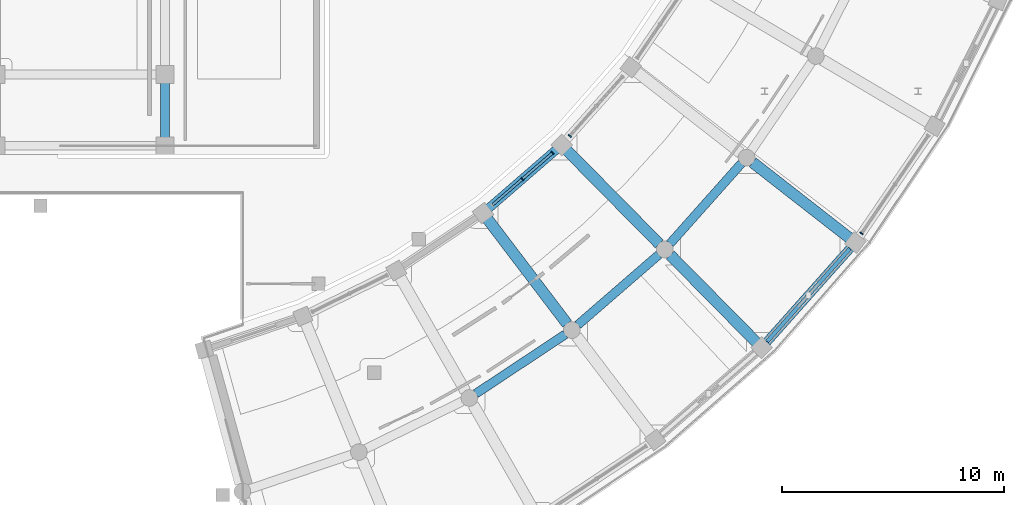
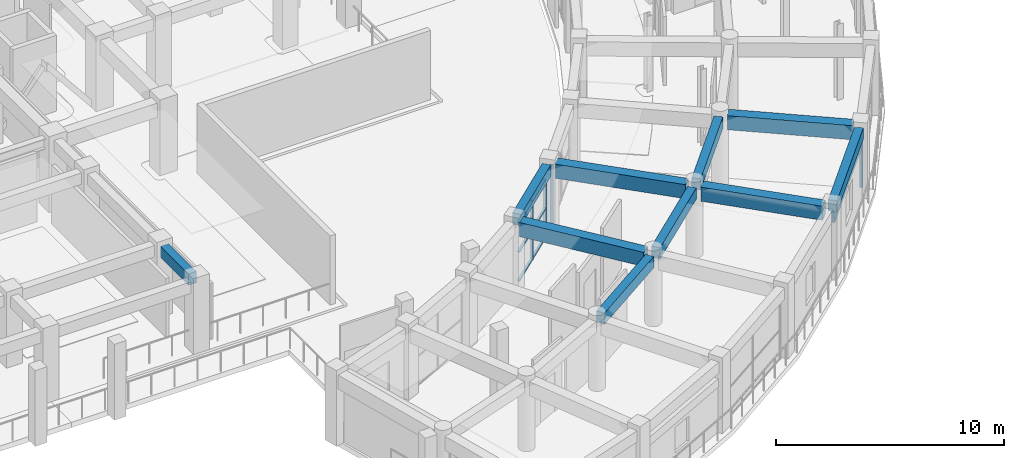
# One storey, part 23 of 87: 11 members, 10 beams, 3 elements without a shape of their own.
"""IFC4 building model written with IfcOpenShell, lengths in metres."""

from ifc_helpers import new_model, si_unit, direction, frame, origin, origin_2d, place, context, subcontext, project, spatial, rectangle, extrude, material, material_profile, profile_set, type_object, element, aggregate, save


model = new_model("IFC4")

# Units and contexts
model_context = context("Model", 3, precision=1e-05, world=origin(), true_north=direction((0.0, 1.0)))
body_context = subcontext(model_context, "Body", "Model", "MODEL_VIEW")
ifc_project = project(units=[si_unit("LENGTHUNIT", "METRE"), si_unit("AREAUNIT", "SQUARE_METRE"), si_unit("VOLUMEUNIT", "CUBIC_METRE"), si_unit("PLANEANGLEUNIT", "RADIAN"), si_unit("MASSUNIT", "GRAM", prefix="KILO")], contexts=[model_context])

# Site, building, storey
site_placement = place(None, origin())
site = spatial("IfcSite", under=ifc_project, at=site_placement, CompositionType="ELEMENT")
building_placement = place(site_placement, origin())
building = spatial("IfcBuilding", under=site, at=building_placement, Name="Saryqyr Civic Hall", CompositionType="ELEMENT")
storey_placement = place(building_placement, frame((0.0, 0.0, 5.10009765625)))
storey = spatial("IfcBuildingStorey", under=building, at=storey_placement, Name="L01", CompositionType="ELEMENT", Elevation=5.10009765625)

# Curtain wall, members
ifc_material_1 = material(Name="Anodised aluminium and triple low-E glass", Category="aluminium")
curtain_wall_type_1 = type_object("IfcCurtainWallType", Name="ENV-CW-STD-37", PredefinedType="NOTDEFINED", material=ifc_material_1)
curtain_wall_1_placement = place(storey_placement, origin())
curtain_wall_1 = element("IfcCurtainWall", 1, at=curtain_wall_1_placement, inside=storey, type_object=curtain_wall_type_1, Name="Curtain wall V5-CWI-L01-03", PredefinedType="NOTDEFINED")
ifc_material_2 = material(Name="Anodised aluminium", Category="aluminium")
ifc_material_profile_1 = material_profile(ifc_material_2, rectangle(XDim=0.06005859375, YDim=0.159912109375, at=origin_2d()), Name="ALU MULLION 60x160")
ifc_profile_set_1 = profile_set([ifc_material_profile_1], Name="Anodised aluminium")
member_type_1 = type_object("IfcMemberType", Name="ENV-CW-MUL-180", PredefinedType="MULLION", material=ifc_profile_set_1)
member_1_placement = place(storey_placement, frame((80.660400390625, 56.702392578125, 0.0), z_axis=(0.0, 0.0, 1.0), x_axis=(0.755641079995, 0.654985922157, 0.0)))
member_1 = element("IfcMember", 2, at=member_1_placement, type_object=member_type_1, Name="CW-37 mullion 2", PredefinedType="MULLION", context=body_context, shape_type="SweptSolid", body=[
    extrude(rectangle(XDim=0.06005859375, YDim=0.159912109375, at=origin_2d()), origin(), (0.0, 0.0, 1.0), 3.14501953125),
])
member_2_placement = place(storey_placement, frame((82.01416015625, 57.875732421875, 0.0), z_axis=(0.0, 0.0, 1.0), x_axis=(0.755641079995, 0.654985922157, 0.0)))
member_2 = element("IfcMember", 3, at=member_2_placement, type_object=member_type_1, Name="CW-37 mullion 3", PredefinedType="MULLION", context=body_context, shape_type="SweptSolid", body=[
    extrude(rectangle(XDim=0.06005859375, YDim=0.159912109375, at=origin_2d()), origin(), (0.0, 0.0, 1.0), 3.14501953125),
])

# Curtain wall, member
curtain_wall_2_placement = place(storey_placement, origin())
curtain_wall_2 = element("IfcCurtainWall", 4, at=curtain_wall_2_placement, inside=storey, type_object=curtain_wall_type_1, Name="Curtain wall V5-CWI-L01-04", PredefinedType="NOTDEFINED")
member_3_placement = place(storey_placement, frame((82.7939453125, 58.64599609375, 0.0), z_axis=(0.0, 0.0, 1.0), x_axis=(0.664938004684, 0.746898553973, 0.0)))
member_3 = element("IfcMember", 5, at=member_3_placement, type_object=member_type_1, Name="CW-37 mullion 1", PredefinedType="MULLION", context=body_context, shape_type="SweptSolid", body=[
    extrude(rectangle(XDim=0.06005859375, YDim=0.159912109375, at=origin_2d()), origin(), (0.0, 0.0, 1.0), 3.14501953125),
])
aggregate(curtain_wall_2, [member_3])

curtain_wall_type_2 = type_object("IfcCurtainWallType", Name="ENV-CW-STD-36", PredefinedType="NOTDEFINED", material=ifc_material_1)
curtain_wall_3_placement = place(storey_placement, origin())
curtain_wall_3 = element("IfcCurtainWall", 6, at=curtain_wall_3_placement, inside=storey, type_object=curtain_wall_type_2, Name="Curtain wall V5-CWO-L01-05", PredefinedType="NOTDEFINED")
member_4_placement = place(storey_placement, frame((95.908447265625, 54.26416015625, 0.0), z_axis=(0.0, 0.0, 1.0), x_axis=(-0.563110329158, -0.826381726078, 0.0)))
member_4 = element("IfcMember", 7, at=member_4_placement, type_object=member_type_1, Name="CW-36 mullion 3", PredefinedType="MULLION", context=body_context, shape_type="SweptSolid", body=[
    extrude(rectangle(XDim=0.06005859375, YDim=0.159912109375, at=origin_2d()), origin(), (0.0, 0.0, 1.0), 3.14501953125),
])
aggregate(curtain_wall_3, [member_4])

# Member
ifc_material_profile_2 = material_profile(ifc_material_2, rectangle(XDim=0.1201171875, YDim=0.06005859375, at=origin_2d()), Name="ALU TRANSOM 120x60")
ifc_profile_set_2 = profile_set([ifc_material_profile_2], Name="Anodised aluminium")
member_type_2 = type_object("IfcMemberType", Name="ENV-CW-TRN-150", PredefinedType="USERDEFINED", material=ifc_profile_set_2)
member_5_placement = place(storey_placement, frame((79.329345703125, 55.548583984375, 0.02978515625), z_axis=(0.755582075396, 0.655053988111, 0.0), x_axis=(-0.655053988111, 0.755582075396, 0.0)))
member_5 = element("IfcMember", 8, at=member_5_placement, type_object=member_type_2, Name="CW-37 transom 1.1", ObjectType="TRANSOM", PredefinedType="USERDEFINED", context=body_context, shape_type="SweptSolid", body=[
    extrude(rectangle(XDim=0.1201171875, YDim=0.06005859375, at=origin_2d()), origin(), (0.0, 0.0, 1.0), 1.731689453125),
])

member_6_placement = place(storey_placement, frame((79.329345703125, 55.548583984375, 1.572021484375), z_axis=(0.755582075396, 0.655053988111, 0.0), x_axis=(-0.655053988111, 0.755582075396, 0.0)))
member_6 = element("IfcMember", 9, at=member_6_placement, type_object=member_type_2, Name="CW-37 transom 1.2", ObjectType="TRANSOM", PredefinedType="USERDEFINED", context=body_context, shape_type="SweptSolid", body=[
    extrude(rectangle(XDim=0.1201171875, YDim=0.06005859375, at=origin_2d()), origin(), (0.0, 0.0, 1.0), 1.731689453125),
])

member_7_placement = place(storey_placement, frame((79.329345703125, 55.548583984375, 3.114990234375), z_axis=(0.755582075396, 0.655053988111, 0.0), x_axis=(-0.655053988111, 0.755582075396, 0.0)))
member_7 = element("IfcMember", 10, at=member_7_placement, type_object=member_type_2, Name="CW-37 transom 1.3", ObjectType="TRANSOM", PredefinedType="USERDEFINED", context=body_context, shape_type="SweptSolid", body=[
    extrude(rectangle(XDim=0.1201171875, YDim=0.06005859375, at=origin_2d()), origin(), (0.0, 0.0, 1.0), 1.731689453125),
])

member_8_placement = place(storey_placement, frame((80.68310546875, 56.72216796875, 0.02978515625), z_axis=(0.755651861677, 0.65497348339, 0.0), x_axis=(-0.65497348339, 0.755651861677, 0.0)))
member_8 = element("IfcMember", 11, at=member_8_placement, type_object=member_type_2, Name="CW-37 transom 2.1", ObjectType="TRANSOM", PredefinedType="USERDEFINED", context=body_context, shape_type="SweptSolid", body=[
    extrude(rectangle(XDim=0.1201171875, YDim=0.06005859375, at=origin_2d()), origin(), (0.0, 0.0, 1.0), 1.7314453125),
])

member_9_placement = place(storey_placement, frame((80.68310546875, 56.72216796875, 1.572021484375), z_axis=(0.755651861677, 0.65497348339, 0.0), x_axis=(-0.65497348339, 0.755651861677, 0.0)))
member_9 = element("IfcMember", 12, at=member_9_placement, type_object=member_type_2, Name="CW-37 transom 2.2", ObjectType="TRANSOM", PredefinedType="USERDEFINED", context=body_context, shape_type="SweptSolid", body=[
    extrude(rectangle(XDim=0.1201171875, YDim=0.06005859375, at=origin_2d()), origin(), (0.0, 0.0, 1.0), 1.7314453125),
])

member_10_placement = place(storey_placement, frame((80.68310546875, 56.72216796875, 3.114990234375), z_axis=(0.755651861677, 0.65497348339, 0.0), x_axis=(-0.65497348339, 0.755651861677, 0.0)))
member_10 = element("IfcMember", 13, at=member_10_placement, type_object=member_type_2, Name="CW-37 transom 2.3", ObjectType="TRANSOM", PredefinedType="USERDEFINED", context=body_context, shape_type="SweptSolid", body=[
    extrude(rectangle(XDim=0.1201171875, YDim=0.06005859375, at=origin_2d()), origin(), (0.0, 0.0, 1.0), 1.7314453125),
])

aggregate(curtain_wall_1, [member_1, member_2, member_5, member_6, member_7, member_8, member_9, member_10])

ifc_material_3 = material(Name="Precast concrete C40/50", Category="concrete")
ifc_material_profile_3 = material_profile(ifc_material_3, rectangle(XDim=0.179931640625, YDim=0.550048828125, at=origin_2d()), Name="PC FIN 180x550")
ifc_profile_set_3 = profile_set([ifc_material_profile_3], Name="Precast concrete C40/50")
member_type_3 = type_object("IfcMemberType", Name="ENV-FIN-PC550", PredefinedType="USERDEFINED", material=ifc_profile_set_3)
member_11_placement = place(storey_placement, frame((91.662353515625, 49.397705078125, 2.81982421875), z_axis=(0.664970590881, 0.746869542332, 0.0), x_axis=(-0.746869542332, 0.664970590881, 0.0)))
element("IfcMember", 14, at=member_11_placement, inside=storey, type_object=member_type_3, Name="Precast horizontal solar brise-soleil fin V5-L01-04", ObjectType="SOLAR_FIN", PredefinedType="USERDEFINED", context=body_context, shape_type="SweptSolid", body=[
    extrude(rectangle(XDim=0.179931640625, YDim=0.550048828125, at=origin_2d()), origin(), (0.0, 0.0, 1.0), 5.59228515625),
])

# Beams
ifc_material_4 = material(Name="Concrete C35/45", Category="concrete")
ifc_material_profile_4 = material_profile(ifc_material_4, rectangle(XDim=0.39990234375, YDim=0.60009765625, at=origin_2d()), Name="RC 400x600")
ifc_profile_set_4 = profile_set([ifc_material_profile_4], Name="Concrete C35/45")
beam_type_1 = type_object("IfcBeamType", Name="STR-BM-RC400x600", PredefinedType="BEAM", material=ifc_profile_set_4)
beam_1_placement = place(storey_placement, frame((64.60009765625, 58.574951171875, 3.469970703125), z_axis=(0.0, 1.0, 0.0), x_axis=(-1.0, 0.0, 0.0)))
element("IfcBeam", 15, at=beam_1_placement, inside=storey, type_object=beam_type_1, Name="Beam V1-TBM-09-L01", PredefinedType="BEAM", context=body_context, shape_type="SweptSolid", body=[
    extrude(rectangle(XDim=0.39990234375, YDim=0.60009765625, at=origin_2d()), origin(), (0.0, 0.0, 1.0), 2.449951171875),
])
for number, where, z_axis, x_axis, name in (
    (16, (78.56884765625, 47.056640625, 3.469970703125), (0.833757954483, 0.552130123555, 0.0), (-0.552130123555, 0.833757954483, 0.0), "Beam V5-CBM-MID02-L01"),
    (17, (83.150390625, 50.14453125, 3.469970703125), (0.755632347986, 0.654995995925, 0.0), (-0.654995995925, 0.755632347986, 0.0), "Beam V5-CBM-MID03-L01"),
):
    element("IfcBeam", number, at=place(storey_placement, frame(where, z_axis=z_axis, x_axis=x_axis)), inside=storey, type_object=beam_type_1, Name=name, PredefinedType="BEAM", context=body_context, shape_type="SweptSolid", body=[
        extrude(rectangle(XDim=0.39990234375, YDim=0.60009765625, at=origin_2d()), origin(), (0.0, 0.0, 1.0), 4.82763671875),
    ])
beam_2_placement = place(storey_placement, frame((87.29541015625, 53.797119140625, 3.469970703125), z_axis=(0.664931763448, 0.746904110284, 0.0), x_axis=(-0.746904110284, 0.664931763448, 0.0)))
element("IfcBeam", 18, at=beam_2_placement, inside=storey, type_object=beam_type_1, Name="Beam V5-CBM-MID04-L01", PredefinedType="BEAM", context=body_context, shape_type="SweptSolid", body=[
    extrude(rectangle(XDim=0.39990234375, YDim=0.60009765625, at=origin_2d()), origin(), (0.0, 0.0, 1.0), 4.827880859375),
])
ifc_material_profile_5 = material_profile(ifc_material_4, rectangle(XDim=0.39990234375, YDim=0.60009765625, at=origin_2d()), Name="RC 400x600")
ifc_profile_set_5 = profile_set([ifc_material_profile_5], Name="Concrete C35/45")
beam_type_2 = type_object("IfcBeamType", Name="STR-BM-RC400x600-EXT", PredefinedType="BEAM", material=ifc_profile_set_5)
beam_3_placement = place(storey_placement, frame((79.1396484375, 55.38427734375, 3.469970703125), z_axis=(0.755683078976, 0.654937465831, 0.0), x_axis=(-0.654937465831, 0.755683078976, 0.0)))
element("IfcBeam", 19, at=beam_3_placement, inside=storey, type_object=beam_type_2, Name="Beam V5-CBM-IN03-L01", PredefinedType="BEAM", context=body_context, shape_type="SweptSolid", body=[
    extrude(rectangle(XDim=0.39990234375, YDim=0.60009765625, at=origin_2d()), origin(), (0.0, 0.0, 1.0), 4.025146484375),
])
beam_4_placement = place(storey_placement, frame((91.6337890625, 49.365478515625, 3.469970703125), z_axis=(0.66494539104, 0.74689197809, 0.0), x_axis=(-0.74689197809, 0.66494539104, 0.0)))
element("IfcBeam", 20, at=beam_4_placement, inside=storey, type_object=beam_type_2, Name="Beam V5-CBM-OUT04-L01", PredefinedType="BEAM", context=body_context, shape_type="SweptSolid", body=[
    extrude(rectangle(XDim=0.39990234375, YDim=0.60009765625, at=origin_2d()), origin(), (0.0, 0.0, 1.0), 5.678466796875),
])
ifc_material_5 = material(Name="Concrete C40/50", Category="concrete")
ifc_material_profile_6 = material_profile(ifc_material_5, rectangle(XDim=0.5, YDim=0.75, at=origin_2d()), Name="RC 500x750")
ifc_profile_set_6 = profile_set([ifc_material_profile_6], Name="Concrete C40/50")
beam_type_3 = type_object("IfcBeamType", Name="STR-BM-RC500x750", PredefinedType="BEAM", material=ifc_profile_set_6)
beam_5_placement = place(storey_placement, frame((79.090576171875, 54.91259765625, 3.39501953125), z_axis=(0.60480846118, -0.796370972151, 0.0), x_axis=(0.796370972151, 0.60480846118, 0.0)))
element("IfcBeam", 21, at=beam_5_placement, inside=storey, type_object=beam_type_3, Name="Beam V5-RBM-A03-L01", PredefinedType="BEAM", context=body_context, shape_type="SweptSolid", body=[
    extrude(rectangle(XDim=0.5, YDim=0.75, at=origin_2d()), origin(), (0.0, 0.0, 1.0), 5.925048828125),
])
beam_6_placement = place(storey_placement, frame((82.6552734375, 58.002197265625, 3.39501953125), z_axis=(0.702393719037, -0.711788636786, 0.0), x_axis=(0.711788636786, 0.702393719037, 0.0)))
element("IfcBeam", 22, at=beam_6_placement, inside=storey, type_object=beam_type_3, Name="Beam V5-RBM-A04-L01", PredefinedType="BEAM", context=body_context, shape_type="SweptSolid", body=[
    extrude(rectangle(XDim=0.5, YDim=0.75, at=origin_2d()), origin(), (0.0, 0.0, 1.0), 5.9248046875),
])
beam_7_placement = place(storey_placement, frame((87.30859375, 53.28662109375, 3.39501953125), z_axis=(0.702407373733, -0.71177516206, 0.0), x_axis=(0.71177516206, 0.702407373733, 0.0)))
element("IfcBeam", 23, at=beam_7_placement, inside=storey, type_object=beam_type_3, Name="Beam V5-RBM-B04-L01", PredefinedType="BEAM", context=body_context, shape_type="SweptSolid", body=[
    extrude(rectangle(XDim=0.5, YDim=0.75, at=origin_2d()), origin(), (0.0, 0.0, 1.0), 5.525146484375),
])
beam_8_placement = place(storey_placement, frame((91.014404296875, 57.448974609375, 3.39501953125), z_axis=(0.788258798867, -0.615343859975, 0.0), x_axis=(0.615343859975, 0.788258798867, 0.0)))
element("IfcBeam", 24, at=beam_8_placement, inside=storey, type_object=beam_type_3, Name="Beam V5-RBM-B05-L01", PredefinedType="BEAM", context=body_context, shape_type="SweptSolid", body=[
    extrude(rectangle(XDim=0.5, YDim=0.75, at=origin_2d()), origin(), (0.0, 0.0, 1.0), 5.52490234375),
])

save(model, "model.ifc")
